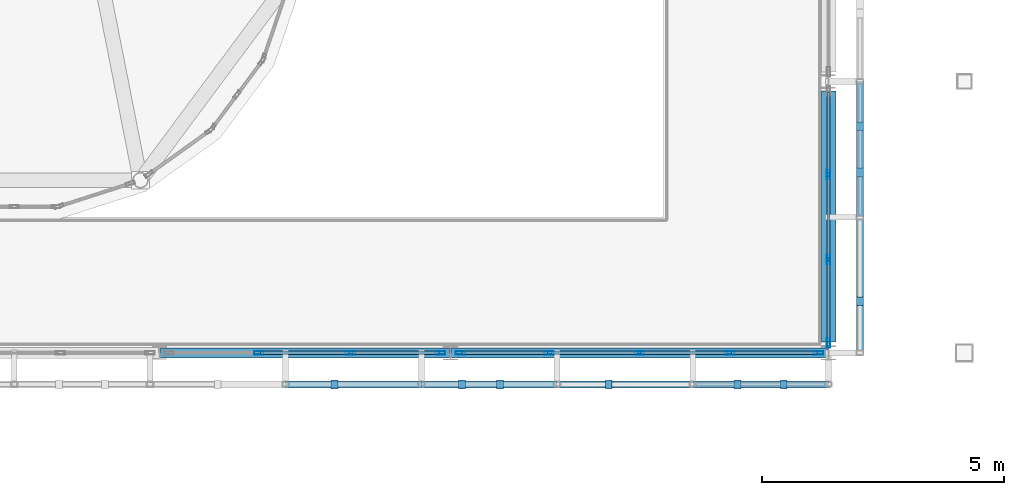
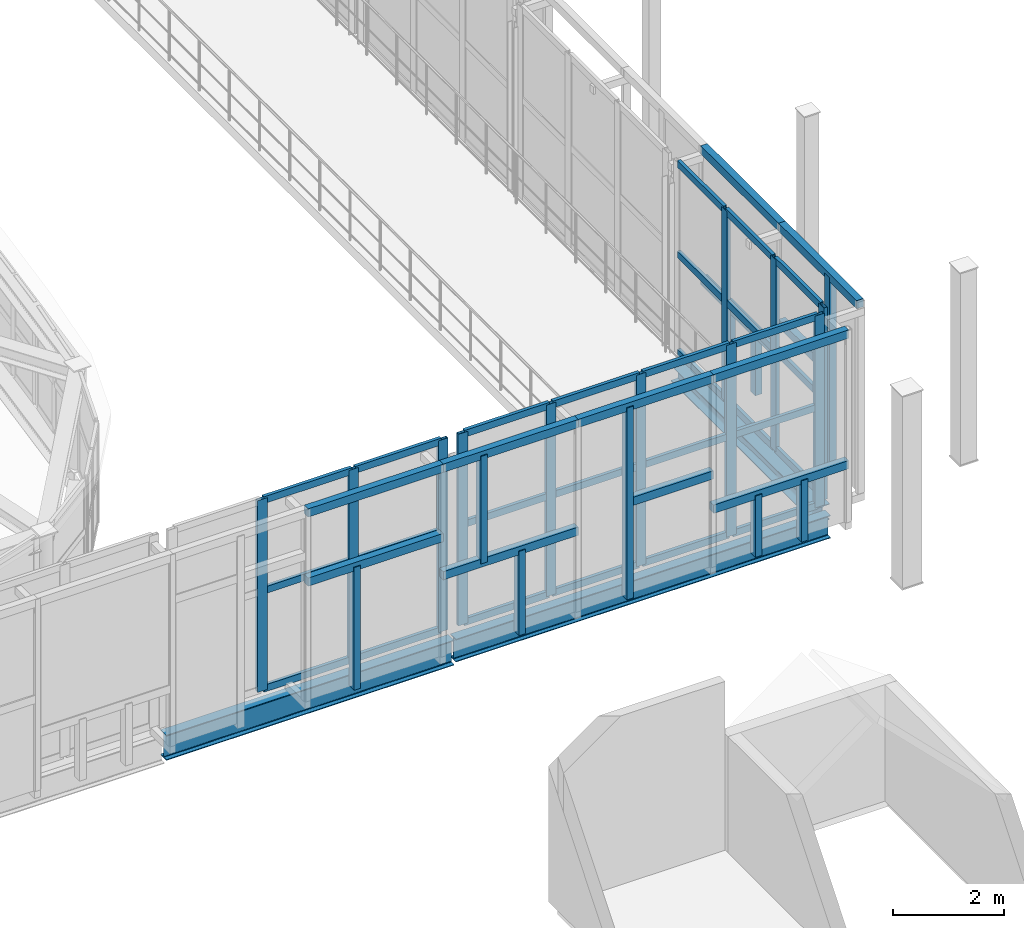
# One storey, part 25 of 78: 59 members, 3 beams, 3 elements without a shape of their own.
"""IFC4 building model written with IfcOpenShell, lengths in metres."""

from ifc_helpers import new_model, si_unit, direction, frame, origin, origin_2d, place, context, subcontext, project, spatial, rectangle, hollow_rectangle, i_section, extrude, material, layer, layer_set, material_profile, profile_set, type_object, element, aggregate, save


model = new_model("IFC4")

# Units and contexts
model_context = context("Model", 3, precision=1e-05, world=origin(), true_north=direction((0.0, 1.0)))
body_context = subcontext(model_context, "Body", "Model", "MODEL_VIEW")
ifc_project = project(units=[si_unit("LENGTHUNIT", "METRE"), si_unit("AREAUNIT", "SQUARE_METRE"), si_unit("VOLUMEUNIT", "CUBIC_METRE"), si_unit("PLANEANGLEUNIT", "RADIAN"), si_unit("MASSUNIT", "GRAM", prefix="KILO")], contexts=[model_context])

# Site, building, storey
site_placement = place(None, origin())
site = spatial("IfcSite", under=ifc_project, at=site_placement, CompositionType="ELEMENT")
building_placement = place(site_placement, origin())
building = spatial("IfcBuilding", under=site, at=building_placement, Name="Vinh Khe Railworks Police Headquarters", CompositionType="ELEMENT")
storey_placement = place(building_placement, frame((0.0, 0.0, 13.199951171875)))
storey = spatial("IfcBuildingStorey", under=building, at=storey_placement, Name="L03", CompositionType="ELEMENT", Elevation=13.199951171875)

# Members
ifc_material_1 = material(Name="Salvaged ironwood timber", Category="wood")
ifc_material_profile_1 = material_profile(ifc_material_1, rectangle(XDim=0.139892578125, YDim=0.179931640625, at=origin_2d()), Name="TIMBER 140x180")
ifc_profile_set_1 = profile_set([ifc_material_profile_1], Name="Salvaged ironwood timber")
member_type_1 = type_object("IfcMemberType", Name="MEM-QUILT-STILE", PredefinedType="CHORD", material=ifc_profile_set_1)
for number, where, z_axis, x_axis, name in (
    (1, (48.800048828125, 24.550048828125, 4.1201171875), (1.0, 0.0, 0.0), (0.0, 1.0, 0.0), "Salvaged Timber Quilt Transom S-L03-08-TOP"),
    (2, (48.800048828125, 24.550048828125, 2.60400390625), (1.0, 0.0, 0.0), (0.0, 1.0, 0.0), "Salvaged Timber Quilt Transom S-L03-08-M1"),
):
    element("IfcMember", number, at=place(storey_placement, frame(where, z_axis=z_axis, x_axis=x_axis)), inside=storey, type_object=member_type_1, Name=name, PredefinedType="CHORD", context=body_context, shape_type="SweptSolid", body=[
        extrude(rectangle(XDim=0.139892578125, YDim=0.179931640625, at=origin_2d()), origin(), (0.0, 0.0, 1.0), 2.800048828125),
    ])
member_1_placement = place(storey_placement, frame((49.80810546875, 24.550048828125, -0.079833984375), z_axis=(0.0, 0.0, 1.0), x_axis=(1.0, 0.0, 0.0)))
element("IfcMember", 3, at=member_1_placement, inside=storey, type_object=member_type_1, Name="Salvaged Timber Quilt Stile S-L03-08-V1", PredefinedType="POST", context=body_context, shape_type="SweptSolid", body=[
    extrude(rectangle(XDim=0.139892578125, YDim=0.179931640625, at=origin_2d()), origin(), (0.0, 0.0, 1.0), 2.683837890625),
])
for number, where, z_axis, x_axis, name in (
    (4, (51.60009765625, 24.550048828125, 4.1201171875), (1.0, 0.0, 0.0), (0.0, 1.0, 0.0), "Salvaged Timber Quilt Transom S-L03-09-TOP"),
    (5, (51.60009765625, 24.550048828125, 1.76416015625), (1.0, 0.0, 0.0), (0.0, 1.0, 0.0), "Salvaged Timber Quilt Transom S-L03-09-M1"),
):
    element("IfcMember", number, at=place(storey_placement, frame(where, z_axis=z_axis, x_axis=x_axis)), inside=storey, type_object=member_type_1, Name=name, PredefinedType="CHORD", context=body_context, shape_type="SweptSolid", body=[
        extrude(rectangle(XDim=0.139892578125, YDim=0.179931640625, at=origin_2d()), origin(), (0.0, 0.0, 1.0), 2.7998046875),
    ])
member_2_placement = place(storey_placement, frame((53.22412109375, 24.550048828125, -0.079833984375), z_axis=(0.0, 0.0, 1.0), x_axis=(1.0, 0.0, 0.0)))
element("IfcMember", 6, at=member_2_placement, inside=storey, type_object=member_type_1, Name="Salvaged Timber Quilt Stile S-L03-09-V1", PredefinedType="POST", context=body_context, shape_type="SweptSolid", body=[
    extrude(rectangle(XDim=0.139892578125, YDim=0.179931640625, at=origin_2d()), origin(), (0.0, 0.0, 1.0), 1.843994140625),
])
member_3_placement = place(storey_placement, frame((52.43994140625, 24.550048828125, 1.76416015625), z_axis=(0.0, 0.0, 1.0), x_axis=(1.0, 0.0, 0.0)))
element("IfcMember", 7, at=member_3_placement, inside=storey, type_object=member_type_1, Name="Salvaged Timber Quilt Stile S-L03-09-V2", PredefinedType="POST", context=body_context, shape_type="SweptSolid", body=[
    extrude(rectangle(XDim=0.139892578125, YDim=0.179931640625, at=origin_2d()), origin(), (0.0, 0.0, 1.0), 2.35595703125),
])
member_4_placement = place(storey_placement, frame((54.39990234375, 24.550048828125, 4.1201171875), z_axis=(1.0, 0.0, 0.0), x_axis=(0.0, 1.0, 0.0)))
element("IfcMember", 8, at=member_4_placement, inside=storey, type_object=member_type_1, Name="Salvaged Timber Quilt Transom S-L03-10-TOP", PredefinedType="CHORD", context=body_context, shape_type="SweptSolid", body=[
    extrude(rectangle(XDim=0.139892578125, YDim=0.179931640625, at=origin_2d()), origin(), (0.0, 0.0, 1.0), 2.800048828125),
])
member_5_placement = place(storey_placement, frame((55.464111328125, 24.550048828125, -0.079833984375), z_axis=(0.0, 0.0, 1.0), x_axis=(1.0, 0.0, 0.0)))
element("IfcMember", 9, at=member_5_placement, inside=storey, type_object=member_type_1, Name="Salvaged Timber Quilt Stile S-L03-10-V1", PredefinedType="POST", context=body_context, shape_type="SweptSolid", body=[
    extrude(rectangle(XDim=0.139892578125, YDim=0.179931640625, at=origin_2d()), origin(), (0.0, 0.0, 1.0), 4.199951171875),
])
member_6_placement = place(storey_placement, frame((55.464111328125, 24.550048828125, 2.01611328125), z_axis=(1.0, 0.0, 0.0), x_axis=(0.0, 1.0, 0.0)))
element("IfcMember", 10, at=member_6_placement, inside=storey, type_object=member_type_1, Name="Salvaged Timber Quilt Transom S-L03-10-M1", PredefinedType="CHORD", context=body_context, shape_type="SweptSolid", body=[
    extrude(rectangle(XDim=0.139892578125, YDim=0.179931640625, at=origin_2d()), origin(), (0.0, 0.0, 1.0), 1.73583984375),
])
for number, where, z_axis, x_axis, name in (
    (11, (57.199951171875, 24.550048828125, 4.1201171875), (1.0, 0.0, 0.0), (0.0, 1.0, 0.0), "Salvaged Timber Quilt Transom S-L03-11-TOP"),
    (12, (57.199951171875, 24.550048828125, 1.260009765625), (1.0, 0.0, 0.0), (0.0, 1.0, 0.0), "Salvaged Timber Quilt Transom S-L03-11-M1"),
):
    element("IfcMember", number, at=place(storey_placement, frame(where, z_axis=z_axis, x_axis=x_axis)), inside=storey, type_object=member_type_1, Name=name, PredefinedType="CHORD", context=body_context, shape_type="SweptSolid", body=[
        extrude(rectangle(XDim=0.139892578125, YDim=0.179931640625, at=origin_2d()), origin(), (0.0, 0.0, 1.0), 2.800048828125),
    ])
for number, where, z_axis, x_axis, name in (
    (13, (58.1240234375, 24.550048828125, -0.079833984375), (0.0, 0.0, 1.0), (1.0, 0.0, 0.0), "Salvaged Timber Quilt Stile S-L03-11-V1"),
    (14, (59.075927734375, 24.550048828125, -0.079833984375), (0.0, 0.0, 1.0), (1.0, 0.0, 0.0), "Salvaged Timber Quilt Stile S-L03-11-V2"),
):
    element("IfcMember", number, at=place(storey_placement, frame(where, z_axis=z_axis, x_axis=x_axis)), inside=storey, type_object=member_type_1, Name=name, PredefinedType="POST", context=body_context, shape_type="SweptSolid", body=[
        extrude(rectangle(XDim=0.139892578125, YDim=0.179931640625, at=origin_2d()), origin(), (0.0, 0.0, 1.0), 1.33984375),
    ])
member_7_placement = place(storey_placement, frame((60.64990234375, 25.199951171875, 4.1201171875), z_axis=(0.0, 1.0, 0.0), x_axis=(-1.0, 0.0, 0.0)))
element("IfcMember", 15, at=member_7_placement, inside=storey, type_object=member_type_1, Name="Salvaged Timber Quilt Transom E-L03-00-TOP", PredefinedType="CHORD", context=body_context, shape_type="SweptSolid", body=[
    extrude(rectangle(XDim=0.139892578125, YDim=0.179931640625, at=origin_2d()), origin(), (0.0, 0.0, 1.0), 2.800048828125),
])
member_8_placement = place(storey_placement, frame((60.64990234375, 26.263916015625, -0.079833984375), z_axis=(0.0, 0.0, 1.0), x_axis=(1.0, 0.0, 0.0)))
element("IfcMember", 16, at=member_8_placement, inside=storey, type_object=member_type_1, Name="Salvaged Timber Quilt Stile E-L03-00-V1", PredefinedType="POST", context=body_context, shape_type="SweptSolid", body=[
    extrude(rectangle(XDim=0.139892578125, YDim=0.179931640625, at=origin_2d()), origin(), (0.0, 0.0, 1.0), 4.199951171875),
])
member_9_placement = place(storey_placement, frame((60.64990234375, 26.263916015625, 2.01611328125), z_axis=(0.0, 1.0, 0.0), x_axis=(-1.0, 0.0, 0.0)))
element("IfcMember", 17, at=member_9_placement, inside=storey, type_object=member_type_1, Name="Salvaged Timber Quilt Transom E-L03-00-M1", PredefinedType="CHORD", context=body_context, shape_type="SweptSolid", body=[
    extrude(rectangle(XDim=0.139892578125, YDim=0.179931640625, at=origin_2d()), origin(), (0.0, 0.0, 1.0), 1.736083984375),
])
for number, where, z_axis, x_axis, name in (
    (18, (60.64990234375, 28.0, 4.1201171875), (0.0, 1.0, 0.0), (-1.0, 0.0, 0.0), "Salvaged Timber Quilt Transom E-L03-01-TOP"),
    (19, (60.64990234375, 28.0, 1.260009765625), (0.0, 1.0, 0.0), (-1.0, 0.0, 0.0), "Salvaged Timber Quilt Transom E-L03-01-M1"),
):
    element("IfcMember", number, at=place(storey_placement, frame(where, z_axis=z_axis, x_axis=x_axis)), inside=storey, type_object=member_type_1, Name=name, PredefinedType="CHORD", context=body_context, shape_type="SweptSolid", body=[
        extrude(rectangle(XDim=0.139892578125, YDim=0.179931640625, at=origin_2d()), origin(), (0.0, 0.0, 1.0), 2.800048828125),
    ])
for number, where, z_axis, x_axis, name in (
    (20, (60.64990234375, 28.924072265625, -0.079833984375), (0.0, 0.0, 1.0), (1.0, 0.0, 0.0), "Salvaged Timber Quilt Stile E-L03-01-V1"),
    (21, (60.64990234375, 29.8759765625, -0.079833984375), (0.0, 0.0, 1.0), (1.0, 0.0, 0.0), "Salvaged Timber Quilt Stile E-L03-01-V2"),
):
    element("IfcMember", number, at=place(storey_placement, frame(where, z_axis=z_axis, x_axis=x_axis)), inside=storey, type_object=member_type_1, Name=name, PredefinedType="POST", context=body_context, shape_type="SweptSolid", body=[
        extrude(rectangle(XDim=0.139892578125, YDim=0.179931640625, at=origin_2d()), origin(), (0.0, 0.0, 1.0), 1.33984375),
    ])

# Curtain wall, members
ifc_material_2 = material(Name="Anodised aluminium and low-iron glass", Category="aluminium")
ifc_layer = layer(ifc_material_2, 0.179931640625)
ifc_layer_set = layer_set([ifc_layer], Name="Anodised aluminium and low-iron glass")
curtain_wall_type = type_object("IfcCurtainWallType", Name="CW-CUBE-UNIT", PredefinedType="USERDEFINED", material=ifc_layer_set)
curtain_wall_1_placement = place(storey_placement, origin())
curtain_wall_1 = element("IfcCurtainWall", 22, at=curtain_wall_1_placement, inside=storey, type_object=curtain_wall_type, Name="Entrance Hall Curtain Wall L03 S-4", ObjectType="UNITISED GLAZING", PredefinedType="USERDEFINED")
ifc_material_3 = material(Name="Anodised aluminium 6063-T6", Category="aluminium")
ifc_material_profile_2 = material_profile(ifc_material_3, hollow_rectangle(XDim=0.070068359375, YDim=0.199951171875, WallThickness=0.0048828125, at=origin_2d()), Name="CW-M 70x200x5")
ifc_profile_set_2 = profile_set([ifc_material_profile_2], Name="Anodised aluminium 6063-T6")
member_type_2 = type_object("IfcMemberType", Name="MULL-CWM-03", PredefinedType="MULLION", material=ifc_profile_set_2)
member_10_placement = place(storey_placement, frame((48.25, 25.199951171875, 0.0), z_axis=(0.0, 0.0, 1.0), x_axis=(0.0, 1.0, 0.0)))
member_10 = element("IfcMember", 23, at=member_10_placement, type_object=member_type_2, Name="CW-01 mullion 2", PredefinedType="MULLION", context=body_context, shape_type="SweptSolid", body=[
    extrude(hollow_rectangle(XDim=0.070068359375, YDim=0.199951171875, WallThickness=0.0048828125, at=origin_2d()), origin(), (0.0, 0.0, 1.0), 4.199951171875),
])
member_11_placement = place(storey_placement, frame((50.139892578125, 25.199951171875, 0.0), z_axis=(0.0, 0.0, 1.0), x_axis=(0.0, 1.0, 0.0)))
member_11 = element("IfcMember", 24, at=member_11_placement, type_object=member_type_2, Name="CW-01 mullion 3", PredefinedType="MULLION", context=body_context, shape_type="SweptSolid", body=[
    extrude(hollow_rectangle(XDim=0.070068359375, YDim=0.199951171875, WallThickness=0.0048828125, at=origin_2d()), origin(), (0.0, 0.0, 1.0), 4.199951171875),
])
member_12_placement = place(storey_placement, frame((51.9951171875, 25.199951171875, 0.0), z_axis=(0.0, 0.0, 1.0), x_axis=(0.0, 1.0, 0.0)))
member_12 = element("IfcMember", 25, at=member_12_placement, type_object=member_type_2, Name="CW-01 mullion 4", PredefinedType="MULLION", context=body_context, shape_type="SweptSolid", body=[
    extrude(hollow_rectangle(XDim=0.070068359375, YDim=0.199951171875, WallThickness=0.0048828125, at=origin_2d()), origin(), (0.0, 0.0, 1.0), 4.199951171875),
])

curtain_wall_2_placement = place(storey_placement, origin())
curtain_wall_2 = element("IfcCurtainWall", 26, at=curtain_wall_2_placement, inside=storey, type_object=curtain_wall_type, Name="Entrance Hall Curtain Wall L03 S-5", ObjectType="UNITISED GLAZING", PredefinedType="USERDEFINED")
member_13_placement = place(storey_placement, frame((52.405029296875, 25.199951171875, 0.0), z_axis=(0.0, 0.0, 1.0), x_axis=(0.0, 1.0, 0.0)))
member_13 = element("IfcMember", 27, at=member_13_placement, type_object=member_type_2, Name="CW-01 mullion 1", PredefinedType="MULLION", context=body_context, shape_type="SweptSolid", body=[
    extrude(hollow_rectangle(XDim=0.070068359375, YDim=0.199951171875, WallThickness=0.0048828125, at=origin_2d()), origin(), (0.0, 0.0, 1.0), 4.199951171875),
])
member_14_placement = place(storey_placement, frame((54.235107421875, 25.199951171875, 0.0), z_axis=(0.0, 0.0, 1.0), x_axis=(0.0, 1.0, 0.0)))
member_14 = element("IfcMember", 28, at=member_14_placement, type_object=member_type_2, Name="CW-01 mullion 2", PredefinedType="MULLION", context=body_context, shape_type="SweptSolid", body=[
    extrude(hollow_rectangle(XDim=0.070068359375, YDim=0.199951171875, WallThickness=0.0048828125, at=origin_2d()), origin(), (0.0, 0.0, 1.0), 4.199951171875),
])
member_15_placement = place(storey_placement, frame((56.10009765625, 25.199951171875, 0.0), z_axis=(0.0, 0.0, 1.0), x_axis=(0.0, 1.0, 0.0)))
member_15 = element("IfcMember", 29, at=member_15_placement, type_object=member_type_2, Name="CW-01 mullion 3", PredefinedType="MULLION", context=body_context, shape_type="SweptSolid", body=[
    extrude(hollow_rectangle(XDim=0.070068359375, YDim=0.199951171875, WallThickness=0.0048828125, at=origin_2d()), origin(), (0.0, 0.0, 1.0), 4.199951171875),
])
member_16_placement = place(storey_placement, frame((57.965087890625, 25.199951171875, 0.0), z_axis=(0.0, 0.0, 1.0), x_axis=(0.0, 1.0, 0.0)))
member_16 = element("IfcMember", 30, at=member_16_placement, type_object=member_type_2, Name="CW-01 mullion 4", PredefinedType="MULLION", context=body_context, shape_type="SweptSolid", body=[
    extrude(hollow_rectangle(XDim=0.070068359375, YDim=0.199951171875, WallThickness=0.0048828125, at=origin_2d()), origin(), (0.0, 0.0, 1.0), 4.199951171875),
])
member_17_placement = place(storey_placement, frame((59.794921875, 25.199951171875, 0.0), z_axis=(0.0, 0.0, 1.0), x_axis=(0.0, 1.0, 0.0)))
member_17 = element("IfcMember", 31, at=member_17_placement, type_object=member_type_2, Name="CW-01 mullion 5", PredefinedType="MULLION", context=body_context, shape_type="SweptSolid", body=[
    extrude(hollow_rectangle(XDim=0.070068359375, YDim=0.199951171875, WallThickness=0.0048828125, at=origin_2d()), origin(), (0.0, 0.0, 1.0), 4.199951171875),
])

curtain_wall_3_placement = place(storey_placement, origin())
curtain_wall_3 = element("IfcCurtainWall", 32, at=curtain_wall_3_placement, inside=storey, type_object=curtain_wall_type, Name="Entrance Hall Curtain Wall L03 E-1", ObjectType="UNITISED GLAZING", PredefinedType="USERDEFINED")
member_18_placement = place(storey_placement, frame((60.0, 25.405029296875, 0.0), z_axis=(0.0, 0.0, 1.0), x_axis=(-1.0, 0.0, 0.0)))
member_18 = element("IfcMember", 33, at=member_18_placement, type_object=member_type_2, Name="CW-01 mullion 1", PredefinedType="MULLION", context=body_context, shape_type="SweptSolid", body=[
    extrude(hollow_rectangle(XDim=0.070068359375, YDim=0.199951171875, WallThickness=0.0048828125, at=origin_2d()), origin(), (0.0, 0.0, 1.0), 4.199951171875),
])
member_19_placement = place(storey_placement, frame((60.0, 27.126708984375, 0.0), z_axis=(0.0, 0.0, 1.0), x_axis=(-1.0, 0.0, 0.0)))
member_19 = element("IfcMember", 34, at=member_19_placement, type_object=member_type_2, Name="CW-01 mullion 2", PredefinedType="MULLION", context=body_context, shape_type="SweptSolid", body=[
    extrude(hollow_rectangle(XDim=0.070068359375, YDim=0.199951171875, WallThickness=0.0048828125, at=origin_2d()), origin(), (0.0, 0.0, 1.0), 4.199951171875),
])
member_20_placement = place(storey_placement, frame((60.0, 28.88330078125, 0.0), z_axis=(0.0, 0.0, 1.0), x_axis=(-1.0, 0.0, 0.0)))
member_20 = element("IfcMember", 35, at=member_20_placement, type_object=member_type_2, Name="CW-01 mullion 3", PredefinedType="MULLION", context=body_context, shape_type="SweptSolid", body=[
    extrude(hollow_rectangle(XDim=0.070068359375, YDim=0.199951171875, WallThickness=0.0048828125, at=origin_2d()), origin(), (0.0, 0.0, 1.0), 4.199951171875),
])

# Beams
ifc_material_4 = material(Name="Steel S355JR", Category="steel")
ifc_material_profile_3 = material_profile(ifc_material_4, i_section(OverallWidth=0.300048828125, OverallDepth=0.35009765625, WebThickness=0.010009765625, FlangeThickness=0.017578125, FilletRadius=0.027099609375, at=origin_2d()), Name="HEA 360")
ifc_profile_set_3 = profile_set([ifc_material_profile_3], Name="Steel S355JR")
beam_type_1 = type_object("IfcBeamType", Name="Steel Girder HEA 360", PredefinedType="BEAM", material=ifc_profile_set_3)
beam_1_placement = place(storey_placement, frame((60.0, 25.425048828125, -0.39501953125), z_axis=(0.0, 1.0, 0.0), x_axis=(-1.0, 0.0, 0.0)))
element("IfcBeam", 36, at=beam_1_placement, inside=storey, type_object=beam_type_1, Name="Girder BM-L03-NS-SB-15-1219", PredefinedType="BEAM", context=body_context, shape_type="SweptSolid", body=[
    extrude(i_section(OverallWidth=0.300048828125, OverallDepth=0.35009765625, WebThickness=0.010009765625, FlangeThickness=0.017578125, FilletRadius=0.027099609375, at=origin_2d()), origin(), (0.0, 0.0, 1.0), 5.175048828125),
])
ifc_material_profile_4 = material_profile(ifc_material_4, i_section(OverallWidth=0.199951171875, OverallDepth=0.5, WebThickness=0.01025390625, FlangeThickness=0.01611328125, FilletRadius=0.02099609375, at=origin_2d()), Name="IPE 500")
ifc_profile_set_4 = profile_set([ifc_material_profile_4], Name="Steel S355JR")
beam_type_2 = type_object("IfcBeamType", Name="Steel Girder IPE 500", PredefinedType="BEAM", material=ifc_profile_set_4)
beam_2_placement = place(storey_placement, frame((52.219970703125, 25.199951171875, -0.469970703125), z_axis=(1.0, 0.0, 0.0), x_axis=(0.0, 1.0, 0.0)))
element("IfcBeam", 37, at=beam_2_placement, inside=storey, type_object=beam_type_2, Name="Girder BM-L03-EW-SB-19-1043", PredefinedType="BEAM", context=body_context, shape_type="SweptSolid", body=[
    extrude(i_section(OverallWidth=0.199951171875, OverallDepth=0.5, WebThickness=0.01025390625, FlangeThickness=0.01611328125, FilletRadius=0.02099609375, at=origin_2d()), origin(), (0.0, 0.0, 1.0), 7.760009765625),
])
ifc_material_profile_5 = material_profile(ifc_material_4, i_section(OverallWidth=0.2099609375, OverallDepth=0.550048828125, WebThickness=0.010986328125, FlangeThickness=0.01708984375, FilletRadius=0.02392578125, at=origin_2d()), Name="IPE 550")
ifc_profile_set_5 = profile_set([ifc_material_profile_5], Name="Steel S355JR")
beam_type_3 = type_object("IfcBeamType", Name="Steel Girder IPE 550", PredefinedType="BEAM", material=ifc_profile_set_5)
beam_3_placement = place(storey_placement, frame((46.219970703125, 25.199951171875, -0.494873046875), z_axis=(1.0, 0.0, 0.0), x_axis=(0.0, 1.0, 0.0)))
element("IfcBeam", 38, at=beam_3_placement, inside=storey, type_object=beam_type_3, Name="Girder BM-L03-EW-SB-18-1042", PredefinedType="BEAM", context=body_context, shape_type="SweptSolid", body=[
    extrude(i_section(OverallWidth=0.2099609375, OverallDepth=0.550048828125, WebThickness=0.010986328125, FlangeThickness=0.01708984375, FilletRadius=0.02392578125, at=origin_2d()), origin(), (0.0, 0.0, 1.0), 5.9599609375),
])

# Member
ifc_material_profile_6 = material_profile(ifc_material_3, hollow_rectangle(XDim=0.070068359375, YDim=0.14990234375, WallThickness=0.0048828125, at=origin_2d()), Name="CW-T 70x150x5")
ifc_profile_set_6 = profile_set([ifc_material_profile_6], Name="Anodised aluminium 6063-T6")
member_type_3 = type_object("IfcMemberType", Name="TRAN-CWT-03", PredefinedType="USERDEFINED", material=ifc_profile_set_6)
member_21_placement = place(storey_placement, frame((48.284912109375, 25.199951171875, 0.03515625), z_axis=(1.0, 0.0, 0.0), x_axis=(0.0, 1.0, 0.0)))
member_21 = element("IfcMember", 39, at=member_21_placement, type_object=member_type_3, Name="CW-01 transom 2.1", ObjectType="TRANSOM", PredefinedType="USERDEFINED", context=body_context, shape_type="SweptSolid", body=[
    extrude(hollow_rectangle(XDim=0.070068359375, YDim=0.14990234375, WallThickness=0.0048828125, at=origin_2d()), origin(), (0.0, 0.0, 1.0), 1.820068359375),
])

member_22_placement = place(storey_placement, frame((48.284912109375, 25.199951171875, 2.18408203125), z_axis=(1.0, 0.0, 0.0), x_axis=(0.0, 1.0, 0.0)))
member_22 = element("IfcMember", 40, at=member_22_placement, type_object=member_type_3, Name="CW-01 transom 2.2", ObjectType="TRANSOM", PredefinedType="USERDEFINED", context=body_context, shape_type="SweptSolid", body=[
    extrude(hollow_rectangle(XDim=0.070068359375, YDim=0.14990234375, WallThickness=0.0048828125, at=origin_2d()), origin(), (0.0, 0.0, 1.0), 1.820068359375),
])

member_23_placement = place(storey_placement, frame((48.284912109375, 25.199951171875, 4.1650390625), z_axis=(1.0, 0.0, 0.0), x_axis=(0.0, 1.0, 0.0)))
member_23 = element("IfcMember", 41, at=member_23_placement, type_object=member_type_3, Name="CW-01 transom 2.3", ObjectType="TRANSOM", PredefinedType="USERDEFINED", context=body_context, shape_type="SweptSolid", body=[
    extrude(hollow_rectangle(XDim=0.070068359375, YDim=0.14990234375, WallThickness=0.0048828125, at=origin_2d()), origin(), (0.0, 0.0, 1.0), 1.820068359375),
])

member_24_placement = place(storey_placement, frame((50.175048828125, 25.199951171875, 0.03515625), z_axis=(1.0, 0.0, 0.0), x_axis=(0.0, 1.0, 0.0)))
member_24 = element("IfcMember", 42, at=member_24_placement, type_object=member_type_3, Name="CW-01 transom 3.1", ObjectType="TRANSOM", PredefinedType="USERDEFINED", context=body_context, shape_type="SweptSolid", body=[
    extrude(hollow_rectangle(XDim=0.070068359375, YDim=0.14990234375, WallThickness=0.0048828125, at=origin_2d()), origin(), (0.0, 0.0, 1.0), 1.784912109375),
])

member_25_placement = place(storey_placement, frame((50.175048828125, 25.199951171875, 2.18408203125), z_axis=(1.0, 0.0, 0.0), x_axis=(0.0, 1.0, 0.0)))
member_25 = element("IfcMember", 43, at=member_25_placement, type_object=member_type_3, Name="CW-01 transom 3.2", ObjectType="TRANSOM", PredefinedType="USERDEFINED", context=body_context, shape_type="SweptSolid", body=[
    extrude(hollow_rectangle(XDim=0.070068359375, YDim=0.14990234375, WallThickness=0.0048828125, at=origin_2d()), origin(), (0.0, 0.0, 1.0), 1.784912109375),
])

member_26_placement = place(storey_placement, frame((50.175048828125, 25.199951171875, 4.1650390625), z_axis=(1.0, 0.0, 0.0), x_axis=(0.0, 1.0, 0.0)))
member_26 = element("IfcMember", 44, at=member_26_placement, type_object=member_type_3, Name="CW-01 transom 3.3", ObjectType="TRANSOM", PredefinedType="USERDEFINED", context=body_context, shape_type="SweptSolid", body=[
    extrude(hollow_rectangle(XDim=0.070068359375, YDim=0.14990234375, WallThickness=0.0048828125, at=origin_2d()), origin(), (0.0, 0.0, 1.0), 1.784912109375),
])

aggregate(curtain_wall_1, [member_10, member_11, member_12, member_21, member_22, member_23, member_24, member_25, member_26])

member_27_placement = place(storey_placement, frame((52.43994140625, 25.199951171875, 0.03515625), z_axis=(1.0, 0.0, 0.0), x_axis=(0.0, 1.0, 0.0)))
member_27 = element("IfcMember", 45, at=member_27_placement, type_object=member_type_3, Name="CW-01 transom 1.1", ObjectType="TRANSOM", PredefinedType="USERDEFINED", context=body_context, shape_type="SweptSolid", body=[
    extrude(hollow_rectangle(XDim=0.070068359375, YDim=0.14990234375, WallThickness=0.0048828125, at=origin_2d()), origin(), (0.0, 0.0, 1.0), 1.760009765625),
])

member_28_placement = place(storey_placement, frame((52.43994140625, 25.199951171875, 2.18408203125), z_axis=(1.0, 0.0, 0.0), x_axis=(0.0, 1.0, 0.0)))
member_28 = element("IfcMember", 46, at=member_28_placement, type_object=member_type_3, Name="CW-01 transom 1.2", ObjectType="TRANSOM", PredefinedType="USERDEFINED", context=body_context, shape_type="SweptSolid", body=[
    extrude(hollow_rectangle(XDim=0.070068359375, YDim=0.14990234375, WallThickness=0.0048828125, at=origin_2d()), origin(), (0.0, 0.0, 1.0), 1.760009765625),
])

member_29_placement = place(storey_placement, frame((52.43994140625, 25.199951171875, 4.1650390625), z_axis=(1.0, 0.0, 0.0), x_axis=(0.0, 1.0, 0.0)))
member_29 = element("IfcMember", 47, at=member_29_placement, type_object=member_type_3, Name="CW-01 transom 1.3", ObjectType="TRANSOM", PredefinedType="USERDEFINED", context=body_context, shape_type="SweptSolid", body=[
    extrude(hollow_rectangle(XDim=0.070068359375, YDim=0.14990234375, WallThickness=0.0048828125, at=origin_2d()), origin(), (0.0, 0.0, 1.0), 1.760009765625),
])

member_30_placement = place(storey_placement, frame((54.27001953125, 25.199951171875, 0.03515625), z_axis=(1.0, 0.0, 0.0), x_axis=(0.0, 1.0, 0.0)))
member_30 = element("IfcMember", 48, at=member_30_placement, type_object=member_type_3, Name="CW-01 transom 2.1", ObjectType="TRANSOM", PredefinedType="USERDEFINED", context=body_context, shape_type="SweptSolid", body=[
    extrude(hollow_rectangle(XDim=0.070068359375, YDim=0.14990234375, WallThickness=0.0048828125, at=origin_2d()), origin(), (0.0, 0.0, 1.0), 1.794921875),
])

member_31_placement = place(storey_placement, frame((54.27001953125, 25.199951171875, 2.18408203125), z_axis=(1.0, 0.0, 0.0), x_axis=(0.0, 1.0, 0.0)))
member_31 = element("IfcMember", 49, at=member_31_placement, type_object=member_type_3, Name="CW-01 transom 2.2", ObjectType="TRANSOM", PredefinedType="USERDEFINED", context=body_context, shape_type="SweptSolid", body=[
    extrude(hollow_rectangle(XDim=0.070068359375, YDim=0.14990234375, WallThickness=0.0048828125, at=origin_2d()), origin(), (0.0, 0.0, 1.0), 1.794921875),
])

member_32_placement = place(storey_placement, frame((54.27001953125, 25.199951171875, 4.1650390625), z_axis=(1.0, 0.0, 0.0), x_axis=(0.0, 1.0, 0.0)))
member_32 = element("IfcMember", 50, at=member_32_placement, type_object=member_type_3, Name="CW-01 transom 2.3", ObjectType="TRANSOM", PredefinedType="USERDEFINED", context=body_context, shape_type="SweptSolid", body=[
    extrude(hollow_rectangle(XDim=0.070068359375, YDim=0.14990234375, WallThickness=0.0048828125, at=origin_2d()), origin(), (0.0, 0.0, 1.0), 1.794921875),
])

member_33_placement = place(storey_placement, frame((56.135009765625, 25.199951171875, 0.03515625), z_axis=(1.0, 0.0, 0.0), x_axis=(0.0, 1.0, 0.0)))
member_33 = element("IfcMember", 51, at=member_33_placement, type_object=member_type_3, Name="CW-01 transom 3.1", ObjectType="TRANSOM", PredefinedType="USERDEFINED", context=body_context, shape_type="SweptSolid", body=[
    extrude(hollow_rectangle(XDim=0.070068359375, YDim=0.14990234375, WallThickness=0.0048828125, at=origin_2d()), origin(), (0.0, 0.0, 1.0), 1.794921875),
])

member_34_placement = place(storey_placement, frame((56.135009765625, 25.199951171875, 2.18408203125), z_axis=(1.0, 0.0, 0.0), x_axis=(0.0, 1.0, 0.0)))
member_34 = element("IfcMember", 52, at=member_34_placement, type_object=member_type_3, Name="CW-01 transom 3.2", ObjectType="TRANSOM", PredefinedType="USERDEFINED", context=body_context, shape_type="SweptSolid", body=[
    extrude(hollow_rectangle(XDim=0.070068359375, YDim=0.14990234375, WallThickness=0.0048828125, at=origin_2d()), origin(), (0.0, 0.0, 1.0), 1.794921875),
])

member_35_placement = place(storey_placement, frame((56.135009765625, 25.199951171875, 4.1650390625), z_axis=(1.0, 0.0, 0.0), x_axis=(0.0, 1.0, 0.0)))
member_35 = element("IfcMember", 53, at=member_35_placement, type_object=member_type_3, Name="CW-01 transom 3.3", ObjectType="TRANSOM", PredefinedType="USERDEFINED", context=body_context, shape_type="SweptSolid", body=[
    extrude(hollow_rectangle(XDim=0.070068359375, YDim=0.14990234375, WallThickness=0.0048828125, at=origin_2d()), origin(), (0.0, 0.0, 1.0), 1.794921875),
])

member_36_placement = place(storey_placement, frame((58.0, 25.199951171875, 0.03515625), z_axis=(1.0, 0.0, 0.0), x_axis=(0.0, 1.0, 0.0)))
member_36 = element("IfcMember", 54, at=member_36_placement, type_object=member_type_3, Name="CW-01 transom 4.1", ObjectType="TRANSOM", PredefinedType="USERDEFINED", context=body_context, shape_type="SweptSolid", body=[
    extrude(hollow_rectangle(XDim=0.070068359375, YDim=0.14990234375, WallThickness=0.0048828125, at=origin_2d()), origin(), (0.0, 0.0, 1.0), 1.760009765625),
])

member_37_placement = place(storey_placement, frame((58.0, 25.199951171875, 2.18408203125), z_axis=(1.0, 0.0, 0.0), x_axis=(0.0, 1.0, 0.0)))
member_37 = element("IfcMember", 55, at=member_37_placement, type_object=member_type_3, Name="CW-01 transom 4.2", ObjectType="TRANSOM", PredefinedType="USERDEFINED", context=body_context, shape_type="SweptSolid", body=[
    extrude(hollow_rectangle(XDim=0.070068359375, YDim=0.14990234375, WallThickness=0.0048828125, at=origin_2d()), origin(), (0.0, 0.0, 1.0), 1.760009765625),
])

member_38_placement = place(storey_placement, frame((58.0, 25.199951171875, 4.1650390625), z_axis=(1.0, 0.0, 0.0), x_axis=(0.0, 1.0, 0.0)))
member_38 = element("IfcMember", 56, at=member_38_placement, type_object=member_type_3, Name="CW-01 transom 4.3", ObjectType="TRANSOM", PredefinedType="USERDEFINED", context=body_context, shape_type="SweptSolid", body=[
    extrude(hollow_rectangle(XDim=0.070068359375, YDim=0.14990234375, WallThickness=0.0048828125, at=origin_2d()), origin(), (0.0, 0.0, 1.0), 1.760009765625),
])

aggregate(curtain_wall_2, [member_13, member_14, member_15, member_16, member_17, member_27, member_28, member_29, member_30, member_31, member_32, member_33, member_34, member_35, member_36, member_37, member_38])

member_39_placement = place(storey_placement, frame((60.0, 25.43994140625, 0.03515625), z_axis=(0.0, 1.0, 0.0), x_axis=(-1.0, 0.0, 0.0)))
member_39 = element("IfcMember", 57, at=member_39_placement, type_object=member_type_3, Name="CW-01 transom 1.1", ObjectType="TRANSOM", PredefinedType="USERDEFINED", context=body_context, shape_type="SweptSolid", body=[
    extrude(hollow_rectangle(XDim=0.070068359375, YDim=0.14990234375, WallThickness=0.0048828125, at=origin_2d()), origin(), (0.0, 0.0, 1.0), 1.651611328125),
])

member_40_placement = place(storey_placement, frame((60.0, 25.43994140625, 2.18408203125), z_axis=(0.0, 1.0, 0.0), x_axis=(-1.0, 0.0, 0.0)))
member_40 = element("IfcMember", 58, at=member_40_placement, type_object=member_type_3, Name="CW-01 transom 1.2", ObjectType="TRANSOM", PredefinedType="USERDEFINED", context=body_context, shape_type="SweptSolid", body=[
    extrude(hollow_rectangle(XDim=0.070068359375, YDim=0.14990234375, WallThickness=0.0048828125, at=origin_2d()), origin(), (0.0, 0.0, 1.0), 1.651611328125),
])

member_41_placement = place(storey_placement, frame((60.0, 25.43994140625, 4.1650390625), z_axis=(0.0, 1.0, 0.0), x_axis=(-1.0, 0.0, 0.0)))
member_41 = element("IfcMember", 59, at=member_41_placement, type_object=member_type_3, Name="CW-01 transom 1.3", ObjectType="TRANSOM", PredefinedType="USERDEFINED", context=body_context, shape_type="SweptSolid", body=[
    extrude(hollow_rectangle(XDim=0.070068359375, YDim=0.14990234375, WallThickness=0.0048828125, at=origin_2d()), origin(), (0.0, 0.0, 1.0), 1.651611328125),
])

member_42_placement = place(storey_placement, frame((60.0, 27.16162109375, 0.03515625), z_axis=(0.0, 1.0, 0.0), x_axis=(-1.0, 0.0, 0.0)))
member_42 = element("IfcMember", 60, at=member_42_placement, type_object=member_type_3, Name="CW-01 transom 2.1", ObjectType="TRANSOM", PredefinedType="USERDEFINED", context=body_context, shape_type="SweptSolid", body=[
    extrude(hollow_rectangle(XDim=0.070068359375, YDim=0.14990234375, WallThickness=0.0048828125, at=origin_2d()), origin(), (0.0, 0.0, 1.0), 1.686767578125),
])

member_43_placement = place(storey_placement, frame((60.0, 27.16162109375, 2.18408203125), z_axis=(0.0, 1.0, 0.0), x_axis=(-1.0, 0.0, 0.0)))
member_43 = element("IfcMember", 61, at=member_43_placement, type_object=member_type_3, Name="CW-01 transom 2.2", ObjectType="TRANSOM", PredefinedType="USERDEFINED", context=body_context, shape_type="SweptSolid", body=[
    extrude(hollow_rectangle(XDim=0.070068359375, YDim=0.14990234375, WallThickness=0.0048828125, at=origin_2d()), origin(), (0.0, 0.0, 1.0), 1.686767578125),
])

member_44_placement = place(storey_placement, frame((60.0, 27.16162109375, 4.1650390625), z_axis=(0.0, 1.0, 0.0), x_axis=(-1.0, 0.0, 0.0)))
member_44 = element("IfcMember", 62, at=member_44_placement, type_object=member_type_3, Name="CW-01 transom 2.3", ObjectType="TRANSOM", PredefinedType="USERDEFINED", context=body_context, shape_type="SweptSolid", body=[
    extrude(hollow_rectangle(XDim=0.070068359375, YDim=0.14990234375, WallThickness=0.0048828125, at=origin_2d()), origin(), (0.0, 0.0, 1.0), 1.686767578125),
])

member_45_placement = place(storey_placement, frame((60.0, 28.918212890625, 0.03515625), z_axis=(0.0, 1.0, 0.0), x_axis=(-1.0, 0.0, 0.0)))
member_45 = element("IfcMember", 63, at=member_45_placement, type_object=member_type_3, Name="CW-01 transom 3.1", ObjectType="TRANSOM", PredefinedType="USERDEFINED", context=body_context, shape_type="SweptSolid", body=[
    extrude(hollow_rectangle(XDim=0.070068359375, YDim=0.14990234375, WallThickness=0.0048828125, at=origin_2d()), origin(), (0.0, 0.0, 1.0), 1.65185546875),
])

member_46_placement = place(storey_placement, frame((60.0, 28.918212890625, 2.18408203125), z_axis=(0.0, 1.0, 0.0), x_axis=(-1.0, 0.0, 0.0)))
member_46 = element("IfcMember", 64, at=member_46_placement, type_object=member_type_3, Name="CW-01 transom 3.2", ObjectType="TRANSOM", PredefinedType="USERDEFINED", context=body_context, shape_type="SweptSolid", body=[
    extrude(hollow_rectangle(XDim=0.070068359375, YDim=0.14990234375, WallThickness=0.0048828125, at=origin_2d()), origin(), (0.0, 0.0, 1.0), 1.65185546875),
])

member_47_placement = place(storey_placement, frame((60.0, 28.918212890625, 4.1650390625), z_axis=(0.0, 1.0, 0.0), x_axis=(-1.0, 0.0, 0.0)))
member_47 = element("IfcMember", 65, at=member_47_placement, type_object=member_type_3, Name="CW-01 transom 3.3", ObjectType="TRANSOM", PredefinedType="USERDEFINED", context=body_context, shape_type="SweptSolid", body=[
    extrude(hollow_rectangle(XDim=0.070068359375, YDim=0.14990234375, WallThickness=0.0048828125, at=origin_2d()), origin(), (0.0, 0.0, 1.0), 1.65185546875),
])

aggregate(curtain_wall_3, [member_18, member_19, member_20, member_39, member_40, member_41, member_42, member_43, member_44, member_45, member_46, member_47])

save(model, "model.ifc")
